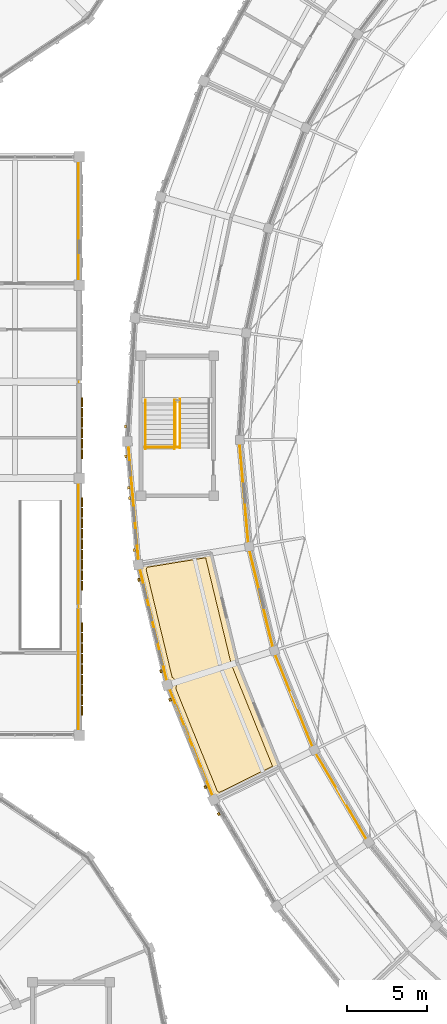
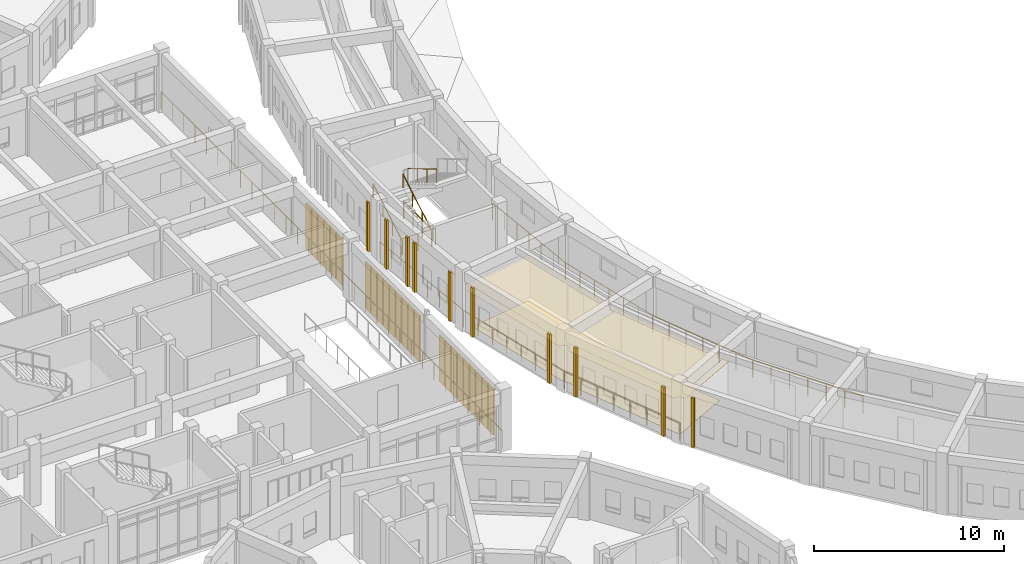
# One storey, part 98 of 112: 24 shading devices, 13 railings, 12 coverings.
"""IFC4 building model written with IfcOpenShell, lengths in metres."""

from ifc_helpers import new_model, si_unit, direction, frame, origin, origin_2d, place, context, subcontext, project, spatial, polyline, rectangle, circle, outline, extrude, material, layer, layer_set, type_object, element, save


model = new_model("IFC4")

# Units and contexts
model_context = context("Model", 3, precision=1e-05, world=origin(), true_north=direction((0.0, 1.0)))
body_context = subcontext(model_context, "Body", "Model", "MODEL_VIEW")
ifc_project = project(units=[si_unit("LENGTHUNIT", "METRE"), si_unit("AREAUNIT", "SQUARE_METRE"), si_unit("VOLUMEUNIT", "CUBIC_METRE"), si_unit("PLANEANGLEUNIT", "RADIAN"), si_unit("MASSUNIT", "GRAM", prefix="KILO")], contexts=[model_context])

# Site, building, storey
site_placement = place(None, origin())
site = spatial("IfcSite", under=ifc_project, at=site_placement, CompositionType="ELEMENT")
building_placement = place(site_placement, origin())
building = spatial("IfcBuilding", under=site, at=building_placement, Name="Celadon Cloister-Ring School", CompositionType="ELEMENT")
storey_placement = place(building_placement, frame((0.0, 0.0, 8.5)))
storey = spatial("IfcBuildingStorey", under=building, at=storey_placement, Name="L02", CompositionType="ELEMENT", Elevation=8.5)

# Coverings
ifc_material_1 = material(Name="Mineral-fibre acoustic ceiling board")
ifc_layer_1 = layer(ifc_material_1, 0.02001953125)
ifc_layer_set_1 = layer_set([ifc_layer_1], Name="Mineral-fibre acoustic ceiling board")
covering_type_1 = type_object("IfcCoveringType", Name="CV-CL1", PredefinedType="CEILING", material=ifc_layer_set_1)
covering_1_placement = place(storey_placement, frame((0.0, 0.0, 2.550048828125)))
element("IfcCovering", 1, at=covering_1_placement, inside=storey, type_object=covering_type_1, Name="Acoustic Ceiling 0016", PredefinedType="CEILING", context=body_context, shape_type="SweptSolid", body=[
    extrude(outline(polyline([(35.9189453125, 50.821044921875), (40.034912109375, 51.501953125), (40.089111328125, 51.501953125), (40.156005859375, 51.47900390625), (40.208984375, 51.430908203125), (40.23388671875, 51.383056640625), (41.885009765625, 44.529052734375), (44.52294921875, 38.010009765625), (44.535888671875, 37.93896484375), (44.527099609375, 37.885986328125), (44.512939453125, 37.85400390625), (44.47998046875, 37.81103515625), (44.43603515625, 37.781005859375), (40.72509765625, 35.949951171875), (40.693115234375, 35.94091796875), (40.693115234375, 36.008056640625), (40.6708984375, 36.09912109375), (40.6220703125, 36.179931640625), (40.552978515625, 36.242919921875), (40.4970703125, 36.27294921875), (40.406005859375, 36.294921875), (40.31298828125, 36.291015625), (40.236083984375, 36.264892578125), (37.5849609375, 42.81396484375), (37.635986328125, 42.8359375), (37.68798828125, 42.87109375), (37.73193359375, 42.9150390625), (37.76708984375, 42.967041015625), (37.799072265625, 43.055908203125), (37.804931640625, 43.117919921875), (37.799072265625, 43.179931640625), (37.781005859375, 43.239990234375), (37.73193359375, 43.321044921875), (37.68798828125, 43.364990234375), (37.635986328125, 43.39990234375), (37.577880859375, 43.424072265625), (37.51611328125, 43.43603515625), (37.4541015625, 43.43603515625), (37.389892578125, 43.424072265625), (35.737060546875, 50.2919921875), (35.803955078125, 50.31103515625), (35.885009765625, 50.360107421875), (35.928955078125, 50.404052734375), (35.97802734375, 50.485107421875), (35.99609375, 50.544921875), (36.0, 50.637939453125), (35.97802734375, 50.72900390625), (35.9189453125, 50.821044921875)])), origin(), (0.0, 0.0, 1.0), 0.02001953125),
])
ifc_material_2 = material(Name="Polished cement-marble terrazzo tile", Category="masonry")
ifc_layer_2 = layer(ifc_material_2, 0.01806640625)
ifc_layer_set_2 = layer_set([ifc_layer_2], Name="Polished cement-marble terrazzo tile")
covering_type_2 = type_object("IfcCoveringType", Name="CV-FL1", PredefinedType="FLOORING", material=ifc_layer_set_2)
covering_2_placement = place(storey_placement, origin())
element("IfcCovering", 2, at=covering_2_placement, inside=storey, type_object=covering_type_2, Name="Terrazzo Flooring 0015", PredefinedType="FLOORING", context=body_context, shape_type="SweptSolid", body=[
    extrude(outline(polyline([(36.173095703125, 50.318115234375), (36.178955078125, 50.327880859375), (36.18994140625, 50.34912109375), (36.2041015625, 50.3779296875), (36.212890625, 50.39990234375), (36.22412109375, 50.429931640625), (36.22802734375, 50.443115234375), (39.875, 51.0400390625), (41.469970703125, 44.4150390625), (41.47509765625, 44.39794921875), (41.48095703125, 44.3798828125), (44.037109375, 38.06298828125), (40.72412109375, 36.427001953125), (40.701904296875, 36.444091796875), (40.680908203125, 36.4580078125), (40.654052734375, 36.47412109375), (40.633056640625, 36.485107421875), (40.60498046875, 36.498046875), (38.012939453125, 42.904052734375), (38.01611328125, 42.910888671875), (38.027099609375, 42.94091796875), (38.033935546875, 42.964111328125), (38.041015625, 42.9951171875), (38.0458984375, 43.01904296875), (38.051025390625, 43.050048828125), (38.052978515625, 43.073974609375), (38.054931640625, 43.10595703125), (38.054931640625, 43.1298828125), (38.052978515625, 43.162109375), (38.051025390625, 43.18603515625), (38.0458984375, 43.217041015625), (38.041015625, 43.240966796875), (38.033935546875, 43.27197265625), (38.027099609375, 43.294921875), (38.01611328125, 43.324951171875), (38.007080078125, 43.346923828125), (37.992919921875, 43.3759765625), (37.98193359375, 43.39697265625), (37.966064453125, 43.424072265625), (37.951904296875, 43.445068359375), (37.93310546875, 43.469970703125), (37.91796875, 43.489013671875), (37.89697265625, 43.511962890625), (37.87890625, 43.530029296875), (37.85595703125, 43.551025390625), (37.8369140625, 43.56591796875), (37.81201171875, 43.5849609375), (37.791015625, 43.59912109375), (37.7900390625, 43.59912109375), (36.173095703125, 50.318115234375)])), origin(), (0.0, 0.0, 1.0), 0.01806640625),
])
ifc_material_3 = material(Name="Perforated terracotta clay brick masonry", Category="masonry")
ifc_layer_3 = layer(ifc_material_3, 0.139892578125)
ifc_layer_set_3 = layer_set([ifc_layer_3], Name="Perforated terracotta clay brick masonry")
covering_type_3 = type_object("IfcCoveringType", Name="CV-SC1", PredefinedType="CLADDING", material=ifc_layer_set_3)
for number, where, z_axis, x_axis, name in (
    (3, (34.884033203125, 59.217041015625, 0.0), (0.0, 0.0, 1.0), (0.060142636109, 0.998189793237, 0.0), "Brick Screen Rib 0248"),
    (4, (35.425048828125, 51.514892578125, 0.0), (0.0, 0.0, 1.0), (-0.087972896574, 0.996122868661, 0.0), "Brick Screen Rib 0252"),
    (5, (35.138916015625, 54.751953125, 0.0), (0.0, 0.0, 1.0), (-0.087972896574, 0.996122868661, 0.0), "Brick Screen Rib 0253"),
    (6, (35.0810546875, 55.39990234375, 0.0), (0.0, 0.0, 1.0), (-0.087972896574, 0.996122868661, 0.0), "Brick Screen Rib 0254"),
    (7, (34.909912109375, 57.342041015625, 0.0), (0.0, 0.0, 1.0), (-0.087972896574, 0.996122868661, 0.0), "Brick Screen Rib 0255"),
    (8, (37.095947265625, 43.97705078125, 0.0), (0.0, 0.0, 1.0), (-0.233988401232, 0.972239388263, 0.0), "Brick Screen Rib 0256"),
    (9, (35.72705078125, 49.6650390625, 0.0), (0.0, 0.0, 1.0), (-0.233988401232, 0.972239388263, 0.0), "Brick Screen Rib 0257"),
    (10, (39.863037109375, 36.77001953125, 0.0), (0.0, 0.0, 1.0), (-0.375043476904, 0.927007222427, 0.0), "Brick Screen Rib 0258"),
    (11, (37.6689453125, 42.193115234375, 0.0), (0.0, 0.0, 1.0), (-0.375043476904, 0.927007222427, 0.0), "Brick Screen Rib 0259"),
    (12, (40.693115234375, 35.089111328125, 0.0), (0.0, 0.0, 1.0), (-0.507944339768, 0.861389892962, 0.0), "Brick Screen Rib 0261"),
):
    element("IfcCovering", number, at=place(storey_placement, frame(where, z_axis=z_axis, x_axis=x_axis)), inside=storey, type_object=covering_type_3, Name=name, PredefinedType="CLADDING", context=body_context, shape_type="SweptSolid", body=[
        extrude(rectangle(XDim=0.179931640625, YDim=0.139892578125, at=origin_2d()), origin(), (0.0, 0.0, 1.0), 3.172119140625),
    ])

# Railings
ifc_material_4 = material(Name="Structural steel S355JR", Category="steel")
railing_type_1 = type_object("IfcRailingType", Name="RL-BL1", PredefinedType="BALUSTRADE", material=ifc_material_4)
railing_1_placement = place(storey_placement, frame((35.044921875, 58.281982421875, 0.0)))
element("IfcRailing", 13, at=railing_1_placement, inside=storey, type_object=railing_type_1, Name="Terrace Balustrade 0080", PredefinedType="BALUSTRADE", context=body_context, shape_type="SweptSolid", body=[
    extrude(circle(Radius=0.02392578125, at=origin_2d()), frame((0.0, 0.0, 1.09619140625), z_axis=(0.08782161192, -0.996136217834, 0.0), x_axis=(0.996136217834, 0.08782161192, 0.0)), (0.0, 0.0, 1.0), 7.69775390625),
    extrude(circle(Radius=0.02099609375, at=origin_2d()), origin(), (0.0, 0.0, 1.0), 1.072021484375),
    extrude(circle(Radius=0.02099609375, at=origin_2d()), frame((0.0966796875, -1.095458984375, 0.0)), (0.0, 0.0, 1.0), 1.072021484375),
    extrude(circle(Radius=0.02099609375, at=origin_2d()), frame((0.193115234375, -2.19091796875, 0.0)), (0.0, 0.0, 1.0), 1.072021484375),
    extrude(circle(Radius=0.02099609375, at=origin_2d()), frame((0.289794921875, -3.286376953125, 0.0)), (0.0, 0.0, 1.0), 1.072021484375),
    extrude(circle(Radius=0.02099609375, at=origin_2d()), frame((0.38623046875, -4.381591796875, 0.0)), (0.0, 0.0, 1.0), 1.072021484375),
    extrude(circle(Radius=0.02099609375, at=origin_2d()), frame((0.48291015625, -5.47705078125, 0.0)), (0.0, 0.0, 1.0), 1.072021484375),
    extrude(circle(Radius=0.02099609375, at=origin_2d()), frame((0.579345703125, -6.572509765625, 0.0)), (0.0, 0.0, 1.0), 1.072021484375),
    extrude(circle(Radius=0.02099609375, at=origin_2d()), frame((0.676025390625, -7.66796875, 0.0)), (0.0, 0.0, 1.0), 1.072021484375),
])
railing_2_placement = place(storey_placement, frame((35.720947265625, 50.614013671875, 0.0)))
element("IfcRailing", 14, at=railing_2_placement, inside=storey, type_object=railing_type_1, Name="Terrace Balustrade 0081", PredefinedType="BALUSTRADE", context=body_context, shape_type="SweptSolid", body=[
    extrude(circle(Radius=0.02392578125, at=origin_2d()), frame((0.0, 0.0, 1.09619140625), z_axis=(0.234086591506, -0.972215751609, 0.0), x_axis=(0.972215751609, 0.234086591506, 0.0)), (0.0, 0.0, 1.0), 7.697998046875),
    extrude(circle(Radius=0.02099609375, at=origin_2d()), origin(), (0.0, 0.0, 1.0), 1.072021484375),
    extrude(circle(Radius=0.02099609375, at=origin_2d()), frame((0.25732421875, -1.069091796875, 0.0)), (0.0, 0.0, 1.0), 1.072021484375),
    extrude(circle(Radius=0.02099609375, at=origin_2d()), frame((0.514892578125, -2.138427734375, 0.0)), (0.0, 0.0, 1.0), 1.072021484375),
    extrude(circle(Radius=0.02099609375, at=origin_2d()), frame((0.772216796875, -3.20751953125, 0.0)), (0.0, 0.0, 1.0), 1.072021484375),
    extrude(circle(Radius=0.02099609375, at=origin_2d()), frame((1.02978515625, -4.276611328125, 0.0)), (0.0, 0.0, 1.0), 1.072021484375),
    extrude(circle(Radius=0.02099609375, at=origin_2d()), frame((1.287109375, -5.345703125, 0.0)), (0.0, 0.0, 1.0), 1.072021484375),
    extrude(circle(Radius=0.02099609375, at=origin_2d()), frame((1.544677734375, -6.4150390625, 0.0)), (0.0, 0.0, 1.0), 1.072021484375),
    extrude(circle(Radius=0.02099609375, at=origin_2d()), frame((1.802001953125, -7.484130859375, 0.0)), (0.0, 0.0, 1.0), 1.072021484375),
])
railing_3_placement = place(storey_placement, frame((37.52294921875, 43.1298828125, 0.0)))
element("IfcRailing", 15, at=railing_3_placement, inside=storey, type_object=railing_type_1, Name="Terrace Balustrade 0082", PredefinedType="BALUSTRADE", context=body_context, shape_type="SweptSolid", body=[
    extrude(circle(Radius=0.02392578125, at=origin_2d()), frame((0.0, 0.0, 1.09619140625), z_axis=(0.375144097263, -0.926966507641, 0.0), x_axis=(0.926966507641, 0.375144097263, 0.0)), (0.0, 0.0, 1.0), 7.6982421875),
    extrude(circle(Radius=0.02099609375, at=origin_2d()), origin(), (0.0, 0.0, 1.0), 1.072021484375),
    extrude(circle(Radius=0.02099609375, at=origin_2d()), frame((0.41259765625, -1.01953125, 0.0)), (0.0, 0.0, 1.0), 1.072021484375),
    extrude(circle(Radius=0.02099609375, at=origin_2d()), frame((0.8251953125, -2.038818359375, 0.0)), (0.0, 0.0, 1.0), 1.072021484375),
    extrude(circle(Radius=0.02099609375, at=origin_2d()), frame((1.23779296875, -3.058349609375, 0.0)), (0.0, 0.0, 1.0), 1.072021484375),
    extrude(circle(Radius=0.02099609375, at=origin_2d()), frame((1.650146484375, -4.07763671875, 0.0)), (0.0, 0.0, 1.0), 1.072021484375),
    extrude(circle(Radius=0.02099609375, at=origin_2d()), frame((2.062744140625, -5.09716796875, 0.0)), (0.0, 0.0, 1.0), 1.072021484375),
    extrude(circle(Radius=0.02099609375, at=origin_2d()), frame((2.475341796875, -6.116455078125, 0.0)), (0.0, 0.0, 1.0), 1.072021484375),
    extrude(circle(Radius=0.02099609375, at=origin_2d()), frame((2.887939453125, -7.135986328125, 0.0)), (0.0, 0.0, 1.0), 1.072021484375),
])
railing_4_placement = place(storey_placement, frame((41.964111328125, 58.376953125, 0.0)))
element("IfcRailing", 16, at=railing_4_placement, inside=storey, type_object=railing_type_1, Name="Terrace Balustrade 0115", PredefinedType="BALUSTRADE", context=body_context, shape_type="SweptSolid", body=[
    extrude(circle(Radius=0.02392578125, at=origin_2d()), frame((0.0, 0.0, 1.09619140625), z_axis=(0.087823325262, -0.99613606678, 0.0), x_axis=(0.99613606678, 0.087823325262, 0.0)), (0.0, 0.0, 1.0), 6.671875),
    extrude(circle(Radius=0.02099609375, at=origin_2d()), origin(), (0.0, 0.0, 1.0), 1.072021484375),
    extrude(circle(Radius=0.02099609375, at=origin_2d()), frame((0.09765625, -1.107666015625, 0.0)), (0.0, 0.0, 1.0), 1.072021484375),
    extrude(circle(Radius=0.02099609375, at=origin_2d()), frame((0.1953125, -2.21533203125, 0.0)), (0.0, 0.0, 1.0), 1.072021484375),
    extrude(circle(Radius=0.02099609375, at=origin_2d()), frame((0.29296875, -3.322998046875, 0.0)), (0.0, 0.0, 1.0), 1.072021484375),
    extrude(circle(Radius=0.02099609375, at=origin_2d()), frame((0.390625, -4.4306640625, 0.0)), (0.0, 0.0, 1.0), 1.072021484375),
    extrude(circle(Radius=0.02099609375, at=origin_2d()), frame((0.48828125, -5.538330078125, 0.0)), (0.0, 0.0, 1.0), 1.072021484375),
    extrude(circle(Radius=0.02099609375, at=origin_2d()), frame((0.5859375, -6.64599609375, 0.0)), (0.0, 0.0, 1.0), 1.072021484375),
])
railing_5_placement = place(storey_placement, frame((42.550048828125, 51.73095703125, 0.0)))
element("IfcRailing", 17, at=railing_5_placement, inside=storey, type_object=railing_type_1, Name="Terrace Balustrade 0116", PredefinedType="BALUSTRADE", context=body_context, shape_type="SweptSolid", body=[
    extrude(circle(Radius=0.02392578125, at=origin_2d()), frame((0.0, 0.0, 1.09619140625), z_axis=(0.234064724834, -0.972221016327, 0.0), x_axis=(0.972221016327, 0.234064724834, 0.0)), (0.0, 0.0, 1.0), 6.67333984375),
    extrude(circle(Radius=0.02099609375, at=origin_2d()), origin(), (0.0, 0.0, 1.0), 1.072021484375),
    extrude(circle(Radius=0.02099609375, at=origin_2d()), frame((0.26025390625, -1.081298828125, 0.0)), (0.0, 0.0, 1.0), 1.072021484375),
    extrude(circle(Radius=0.02099609375, at=origin_2d()), frame((0.520751953125, -2.16259765625, 0.0)), (0.0, 0.0, 1.0), 1.072021484375),
    extrude(circle(Radius=0.02099609375, at=origin_2d()), frame((0.781005859375, -3.244140625, 0.0)), (0.0, 0.0, 1.0), 1.072021484375),
    extrude(circle(Radius=0.02099609375, at=origin_2d()), frame((1.041259765625, -4.325439453125, 0.0)), (0.0, 0.0, 1.0), 1.072021484375),
    extrude(circle(Radius=0.02099609375, at=origin_2d()), frame((1.3017578125, -5.40673828125, 0.0)), (0.0, 0.0, 1.0), 1.072021484375),
    extrude(circle(Radius=0.02099609375, at=origin_2d()), frame((1.56201171875, -6.488037109375, 0.0)), (0.0, 0.0, 1.0), 1.072021484375),
])
railing_6_placement = place(storey_placement, frame((44.112060546875, 45.242919921875, 0.0)))
element("IfcRailing", 18, at=railing_6_placement, inside=storey, type_object=railing_type_1, Name="Terrace Balustrade 0117", PredefinedType="BALUSTRADE", context=body_context, shape_type="SweptSolid", body=[
    extrude(circle(Radius=0.02392578125, at=origin_2d()), frame((0.0, 0.0, 1.09619140625), z_axis=(0.375135116183, -0.926970142241, 0.0), x_axis=(0.926970142241, 0.375135116183, 0.0)), (0.0, 0.0, 1.0), 6.672119140625),
    extrude(circle(Radius=0.02099609375, at=origin_2d()), origin(), (0.0, 0.0, 1.0), 1.072021484375),
    extrude(circle(Radius=0.02099609375, at=origin_2d()), frame((0.417236328125, -1.03076171875, 0.0)), (0.0, 0.0, 1.0), 1.072021484375),
    extrude(circle(Radius=0.02099609375, at=origin_2d()), frame((0.834228515625, -2.0615234375, 0.0)), (0.0, 0.0, 1.0), 1.072021484375),
    extrude(circle(Radius=0.02099609375, at=origin_2d()), frame((1.25146484375, -3.09228515625, 0.0)), (0.0, 0.0, 1.0), 1.072021484375),
    extrude(circle(Radius=0.02099609375, at=origin_2d()), frame((1.668701171875, -4.123291015625, 0.0)), (0.0, 0.0, 1.0), 1.072021484375),
    extrude(circle(Radius=0.02099609375, at=origin_2d()), frame((2.085693359375, -5.154052734375, 0.0)), (0.0, 0.0, 1.0), 1.072021484375),
    extrude(circle(Radius=0.02099609375, at=origin_2d()), frame((2.5029296875, -6.184814453125, 0.0)), (0.0, 0.0, 1.0), 1.072021484375),
])
railing_7_placement = place(storey_placement, frame((46.614990234375, 39.05810546875, 0.0)))
element("IfcRailing", 19, at=railing_7_placement, inside=storey, type_object=railing_type_1, Name="Terrace Balustrade 0118", PredefinedType="BALUSTRADE", context=body_context, shape_type="SweptSolid", body=[
    extrude(circle(Radius=0.02392578125, at=origin_2d()), frame((0.0, 0.0, 1.09619140625), z_axis=(0.508051148049, -0.861326901337, 0.0), x_axis=(0.861326901337, 0.508051148049, 0.0)), (0.0, 0.0, 1.0), 6.67236328125),
    extrude(circle(Radius=0.02099609375, at=origin_2d()), origin(), (0.0, 0.0, 1.0), 1.072021484375),
    extrude(circle(Radius=0.02099609375, at=origin_2d()), frame((0.56494140625, -0.957763671875, 0.0)), (0.0, 0.0, 1.0), 1.072021484375),
    extrude(circle(Radius=0.02099609375, at=origin_2d()), frame((1.1298828125, -1.915771484375, 0.0)), (0.0, 0.0, 1.0), 1.072021484375),
    extrude(circle(Radius=0.02099609375, at=origin_2d()), frame((1.69482421875, -2.87353515625, 0.0)), (0.0, 0.0, 1.0), 1.072021484375),
    extrude(circle(Radius=0.02099609375, at=origin_2d()), frame((2.260009765625, -3.831298828125, 0.0)), (0.0, 0.0, 1.0), 1.072021484375),
    extrude(circle(Radius=0.02099609375, at=origin_2d()), frame((2.824951171875, -4.789306640625, 0.0)), (0.0, 0.0, 1.0), 1.072021484375),
    extrude(circle(Radius=0.02099609375, at=origin_2d()), frame((3.389892578125, -5.7470703125, 0.0)), (0.0, 0.0, 1.0), 1.072021484375),
])
railing_8_placement = place(storey_placement, frame((31.9599609375, 40.0400390625, 0.0)))
element("IfcRailing", 20, at=railing_8_placement, inside=storey, type_object=railing_type_1, Name="Terrace Balustrade 0449", PredefinedType="BALUSTRADE", context=body_context, shape_type="SweptSolid", body=[
    extrude(circle(Radius=0.02392578125, at=origin_2d()), frame((0.0, 0.0, 1.09619140625), z_axis=(0.0, 1.0, 0.0), x_axis=(-1.0, 0.0, 0.0)), (0.0, 0.0, 1.0), 35.919921875),
    extrude(circle(Radius=0.02099609375, at=origin_2d()), origin(), (0.0, 0.0, 1.0), 1.072021484375),
    extrude(circle(Radius=0.02099609375, at=origin_2d()), frame((0.0, 1.197265625, 0.0)), (0.0, 0.0, 1.0), 1.072021484375),
    extrude(circle(Radius=0.02099609375, at=origin_2d()), frame((0.0, 2.394775390625, 0.0)), (0.0, 0.0, 1.0), 1.072021484375),
    extrude(circle(Radius=0.02099609375, at=origin_2d()), frame((0.0, 3.592041015625, 0.0)), (0.0, 0.0, 1.0), 1.072021484375),
    extrude(circle(Radius=0.02099609375, at=origin_2d()), frame((0.0, 4.789306640625, 0.0)), (0.0, 0.0, 1.0), 1.072021484375),
    extrude(circle(Radius=0.02099609375, at=origin_2d()), frame((0.0, 5.986572265625, 0.0)), (0.0, 0.0, 1.0), 1.072021484375),
    extrude(circle(Radius=0.02099609375, at=origin_2d()), frame((0.0, 7.18408203125, 0.0)), (0.0, 0.0, 1.0), 1.072021484375),
    extrude(circle(Radius=0.02099609375, at=origin_2d()), frame((0.0, 8.38134765625, 0.0)), (0.0, 0.0, 1.0), 1.072021484375),
    extrude(circle(Radius=0.02099609375, at=origin_2d()), frame((0.0, 9.57861328125, 0.0)), (0.0, 0.0, 1.0), 1.072021484375),
    extrude(circle(Radius=0.02099609375, at=origin_2d()), frame((0.0, 10.77587890625, 0.0)), (0.0, 0.0, 1.0), 1.072021484375),
    extrude(circle(Radius=0.02099609375, at=origin_2d()), frame((0.0, 11.973388671875, 0.0)), (0.0, 0.0, 1.0), 1.072021484375),
    extrude(circle(Radius=0.02099609375, at=origin_2d()), frame((0.0, 13.170654296875, 0.0)), (0.0, 0.0, 1.0), 1.072021484375),
    extrude(circle(Radius=0.02099609375, at=origin_2d()), frame((0.0, 14.367919921875, 0.0)), (0.0, 0.0, 1.0), 1.072021484375),
    extrude(circle(Radius=0.02099609375, at=origin_2d()), frame((0.0, 15.565185546875, 0.0)), (0.0, 0.0, 1.0), 1.072021484375),
    extrude(circle(Radius=0.02099609375, at=origin_2d()), frame((0.0, 16.7626953125, 0.0)), (0.0, 0.0, 1.0), 1.072021484375),
    extrude(circle(Radius=0.02099609375, at=origin_2d()), frame((0.0, 17.9599609375, 0.0)), (0.0, 0.0, 1.0), 1.072021484375),
    extrude(circle(Radius=0.02099609375, at=origin_2d()), frame((0.0, 19.1572265625, 0.0)), (0.0, 0.0, 1.0), 1.072021484375),
    extrude(circle(Radius=0.02099609375, at=origin_2d()), frame((0.0, 20.354736328125, 0.0)), (0.0, 0.0, 1.0), 1.072021484375),
    extrude(circle(Radius=0.02099609375, at=origin_2d()), frame((0.0, 21.552001953125, 0.0)), (0.0, 0.0, 1.0), 1.072021484375),
    extrude(circle(Radius=0.02099609375, at=origin_2d()), frame((0.0, 22.749267578125, 0.0)), (0.0, 0.0, 1.0), 1.072021484375),
    extrude(circle(Radius=0.02099609375, at=origin_2d()), frame((0.0, 23.946533203125, 0.0)), (0.0, 0.0, 1.0), 1.072021484375),
    extrude(circle(Radius=0.02099609375, at=origin_2d()), frame((0.0, 25.14404296875, 0.0)), (0.0, 0.0, 1.0), 1.072021484375),
    extrude(circle(Radius=0.02099609375, at=origin_2d()), frame((0.0, 26.34130859375, 0.0)), (0.0, 0.0, 1.0), 1.072021484375),
    extrude(circle(Radius=0.02099609375, at=origin_2d()), frame((0.0, 27.53857421875, 0.0)), (0.0, 0.0, 1.0), 1.072021484375),
    extrude(circle(Radius=0.02099609375, at=origin_2d()), frame((0.0, 28.73583984375, 0.0)), (0.0, 0.0, 1.0), 1.072021484375),
    extrude(circle(Radius=0.02099609375, at=origin_2d()), frame((0.0, 29.933349609375, 0.0)), (0.0, 0.0, 1.0), 1.072021484375),
    extrude(circle(Radius=0.02099609375, at=origin_2d()), frame((0.0, 31.130615234375, 0.0)), (0.0, 0.0, 1.0), 1.072021484375),
    extrude(circle(Radius=0.02099609375, at=origin_2d()), frame((0.0, 32.327880859375, 0.0)), (0.0, 0.0, 1.0), 1.072021484375),
    extrude(circle(Radius=0.02099609375, at=origin_2d()), frame((0.0, 33.525146484375, 0.0)), (0.0, 0.0, 1.0), 1.072021484375),
    extrude(circle(Radius=0.02099609375, at=origin_2d()), frame((0.0, 34.72265625, 0.0)), (0.0, 0.0, 1.0), 1.072021484375),
    extrude(circle(Radius=0.02099609375, at=origin_2d()), frame((0.0, 35.919921875, 0.0)), (0.0, 0.0, 1.0), 1.072021484375),
])
ifc_material_5 = material(Name="Structural steel S355JR", Category="steel")
railing_type_2 = type_object("IfcRailingType", Name="RL-BL2", PredefinedType="BALUSTRADE", material=ifc_material_5)
railing_9_placement = place(storey_placement, frame((36.090087890625, 57.9150390625, 0.0)))
element("IfcRailing", 21, at=railing_9_placement, inside=storey, type_object=railing_type_2, Name="Interior Guard 0249", PredefinedType="BALUSTRADE", context=body_context, shape_type="SweptSolid", body=[
    extrude(circle(Radius=0.02392578125, at=origin_2d()), frame((0.0, 0.0, 1.09619140625), z_axis=(1.0, 0.0, 0.0), x_axis=(0.0, 1.0, 0.0)), (0.0, 0.0, 1.0), 2.139892578125),
    extrude(circle(Radius=0.02099609375, at=origin_2d()), origin(), (0.0, 0.0, 1.0), 1.072021484375),
    extrude(circle(Radius=0.02099609375, at=origin_2d()), frame((1.06982421875, 0.0, 0.0)), (0.0, 0.0, 1.0), 1.072021484375),
    extrude(circle(Radius=0.02099609375, at=origin_2d()), frame((2.139892578125, 0.0, 0.0)), (0.0, 0.0, 1.0), 1.072021484375),
])
railing_10_placement = place(storey_placement, frame((37.989990234375, 57.9150390625, 0.0)))
element("IfcRailing", 22, at=railing_10_placement, inside=storey, type_object=railing_type_2, Name="Interior Guard 0250", PredefinedType="BALUSTRADE", context=body_context, shape_type="SweptSolid", body=[
    extrude(circle(Radius=0.02392578125, at=origin_2d()), frame((0.0, 0.0, 1.09619140625), z_axis=(0.0, 1.0, 0.0), x_axis=(-1.0, 0.0, 0.0)), (0.0, 0.0, 1.0), 2.93505859375),
    extrude(circle(Radius=0.02099609375, at=origin_2d()), origin(), (0.0, 0.0, 1.0), 1.072021484375),
    extrude(circle(Radius=0.02099609375, at=origin_2d()), frame((0.0, 0.978271484375, 0.0)), (0.0, 0.0, 1.0), 1.072021484375),
    extrude(circle(Radius=0.02099609375, at=origin_2d()), frame((0.0, 1.956787109375, 0.0)), (0.0, 0.0, 1.0), 1.072021484375),
    extrude(circle(Radius=0.02099609375, at=origin_2d()), frame((0.0, 2.93505859375, 0.0)), (0.0, 0.0, 1.0), 1.072021484375),
])
ifc_material_6 = material(Name="Structural steel S355JR", Category="steel")
railing_type_3 = type_object("IfcRailingType", Name="RL-HR1", PredefinedType="HANDRAIL", material=ifc_material_6)
for number, where, name in (
    (23, (37.945068359375, 57.800048828125, 0.181884765625), "Stair Handrail 0244"),
    (24, (36.135009765625, 57.800048828125, 0.181884765625), "Stair Handrail 0245"),
):
    element("IfcRailing", number, at=place(storey_placement, frame(where)), inside=storey, type_object=railing_type_3, Name=name, PredefinedType="HANDRAIL", context=body_context, shape_type="SweptSolid", body=[
        extrude(circle(Radius=0.02099609375, at=origin_2d()), frame((0.0, 0.0, 0.87890625), z_axis=(0.0, 0.858969654429, 0.51202649616), x_axis=(-1.0, 0.0, 0.0)), (0.0, 0.0, 1.0), 3.55078125),
        extrude(circle(Radius=0.01806640625, at=origin_2d()), origin(), (0.0, 0.0, 1.0), 0.85791015625),
        extrude(circle(Radius=0.01806640625, at=origin_2d()), frame((0.0, 1.0166015625, 0.60595703125)), (0.0, 0.0, 1.0), 0.85791015625),
        extrude(circle(Radius=0.01806640625, at=origin_2d()), frame((0.0, 2.033447265625, 1.212158203125)), (0.0, 0.0, 1.0), 0.85791015625),
        extrude(circle(Radius=0.01806640625, at=origin_2d()), frame((0.0, 3.050048828125, 1.818115234375)), (0.0, 0.0, 1.0), 0.85791015625),
    ])
railing_11_placement = place(storey_placement, frame((38.27490234375, 60.929931640625, 2.181884765625)))
element("IfcRailing", 25, at=railing_11_placement, inside=storey, type_object=railing_type_3, Name="Stair Handrail 0246", PredefinedType="HANDRAIL", context=body_context, shape_type="SweptSolid", body=[
    extrude(circle(Radius=0.02099609375, at=origin_2d()), frame((0.0, 0.0, 0.87890625), z_axis=(0.0, -0.858969654429, 0.51202649616), x_axis=(1.0, 0.0, 0.0)), (0.0, 0.0, 1.0), 3.55078125),
    extrude(circle(Radius=0.01806640625, at=origin_2d()), origin(), (0.0, 0.0, 1.0), 0.85791015625),
    extrude(circle(Radius=0.01806640625, at=origin_2d()), frame((0.0, -1.0166015625, 0.60595703125)), (0.0, 0.0, 1.0), 0.85791015625),
    extrude(circle(Radius=0.01806640625, at=origin_2d()), frame((0.0, -2.033447265625, 1.212158203125)), (0.0, 0.0, 1.0), 0.85791015625),
    extrude(circle(Radius=0.01806640625, at=origin_2d()), frame((0.0, -3.050048828125, 1.818115234375)), (0.0, 0.0, 1.0), 0.85791015625),
])

# Shading devices
ifc_material_7 = material(Name="Glazed celadon architectural terracotta", Category="masonry")
shading_device_type = type_object("IfcShadingDeviceType", Name="SD-01", PredefinedType="USERDEFINED", material=ifc_material_7)
for number, where, z_axis, x_axis, name in (
    (26, (32.172119140625, 60.73291015625, 0.0), (0.0, 0.0, 1.0), (0.0, -1.0, 0.0), "Celadon Sunshade Screen 0192"),
    (27, (32.172119140625, 60.08203125, 0.0), (0.0, 0.0, 1.0), (0.0, -1.0, 0.0), "Celadon Sunshade Screen 0193"),
    (28, (32.172119140625, 59.431884765625, 0.0), (0.0, 0.0, 1.0), (0.0, -1.0, 0.0), "Celadon Sunshade Screen 0194"),
    (29, (32.172119140625, 58.781982421875, 0.0), (0.0, 0.0, 1.0), (0.0, -1.0, 0.0), "Celadon Sunshade Screen 0195"),
    (30, (32.172119140625, 58.133056640625, 0.0), (0.0, 0.0, 1.0), (0.0, -1.0, 0.0), "Celadon Sunshade Screen 0196"),
    (31, (32.172119140625, 57.48291015625, 0.0), (0.0, 0.0, 1.0), (0.0, -1.0, 0.0), "Celadon Sunshade Screen 0197"),
    (32, (32.172119140625, 54.491943359375, 0.0), (0.0, 0.0, 1.0), (0.0, -1.0, 0.0), "Celadon Sunshade Screen 0198"),
    (33, (32.172119140625, 53.843017578125, 0.0), (0.0, 0.0, 1.0), (0.0, -1.0, 0.0), "Celadon Sunshade Screen 0199"),
    (34, (32.172119140625, 53.193115234375, 0.0), (0.0, 0.0, 1.0), (0.0, -1.0, 0.0), "Celadon Sunshade Screen 0200"),
    (35, (32.172119140625, 52.54296875, 0.0), (0.0, 0.0, 1.0), (0.0, -1.0, 0.0), "Celadon Sunshade Screen 0201"),
    (36, (32.172119140625, 51.89208984375, 0.0), (0.0, 0.0, 1.0), (0.0, -1.0, 0.0), "Celadon Sunshade Screen 0202"),
    (37, (32.172119140625, 51.241943359375, 0.0), (0.0, 0.0, 1.0), (0.0, -1.0, 0.0), "Celadon Sunshade Screen 0203"),
    (38, (32.172119140625, 50.593017578125, 0.0), (0.0, 0.0, 1.0), (0.0, -1.0, 0.0), "Celadon Sunshade Screen 0204"),
    (39, (32.172119140625, 49.943115234375, 0.0), (0.0, 0.0, 1.0), (0.0, -1.0, 0.0), "Celadon Sunshade Screen 0205"),
    (40, (32.172119140625, 49.29296875, 0.0), (0.0, 0.0, 1.0), (0.0, -1.0, 0.0), "Celadon Sunshade Screen 0206"),
    (41, (32.172119140625, 46.70703125, 0.0), (0.0, 0.0, 1.0), (0.0, -1.0, 0.0), "Celadon Sunshade Screen 0207"),
    (42, (32.172119140625, 46.056884765625, 0.0), (0.0, 0.0, 1.0), (0.0, -1.0, 0.0), "Celadon Sunshade Screen 0208"),
    (43, (32.172119140625, 45.406982421875, 0.0), (0.0, 0.0, 1.0), (0.0, -1.0, 0.0), "Celadon Sunshade Screen 0209"),
    (44, (32.172119140625, 44.758056640625, 0.0), (0.0, 0.0, 1.0), (0.0, -1.0, 0.0), "Celadon Sunshade Screen 0210"),
    (45, (32.172119140625, 44.10791015625, 0.0), (0.0, 0.0, 1.0), (0.0, -1.0, 0.0), "Celadon Sunshade Screen 0211"),
    (46, (32.172119140625, 43.45703125, 0.0), (0.0, 0.0, 1.0), (0.0, -1.0, 0.0), "Celadon Sunshade Screen 0212"),
    (47, (32.172119140625, 42.806884765625, 0.0), (0.0, 0.0, 1.0), (0.0, -1.0, 0.0), "Celadon Sunshade Screen 0213"),
    (48, (32.172119140625, 42.156982421875, 0.0), (0.0, 0.0, 1.0), (0.0, -1.0, 0.0), "Celadon Sunshade Screen 0214"),
    (49, (32.172119140625, 41.508056640625, 0.0), (0.0, 0.0, 1.0), (0.0, -1.0, 0.0), "Celadon Sunshade Screen 0215"),
):
    element("IfcShadingDevice", number, at=place(storey_placement, frame(where, z_axis=z_axis, x_axis=x_axis)), inside=storey, type_object=shading_device_type, Name=name, ObjectType="SUNSHADE", PredefinedType="USERDEFINED", context=body_context, shape_type="SweptSolid", body=[
        extrude(rectangle(XDim=0.56005859375, YDim=0.090087890625, at=origin_2d()), origin(), (0.0, 0.0, 1.0), 2.949951171875),
    ])

save(model, "model.ifc")
